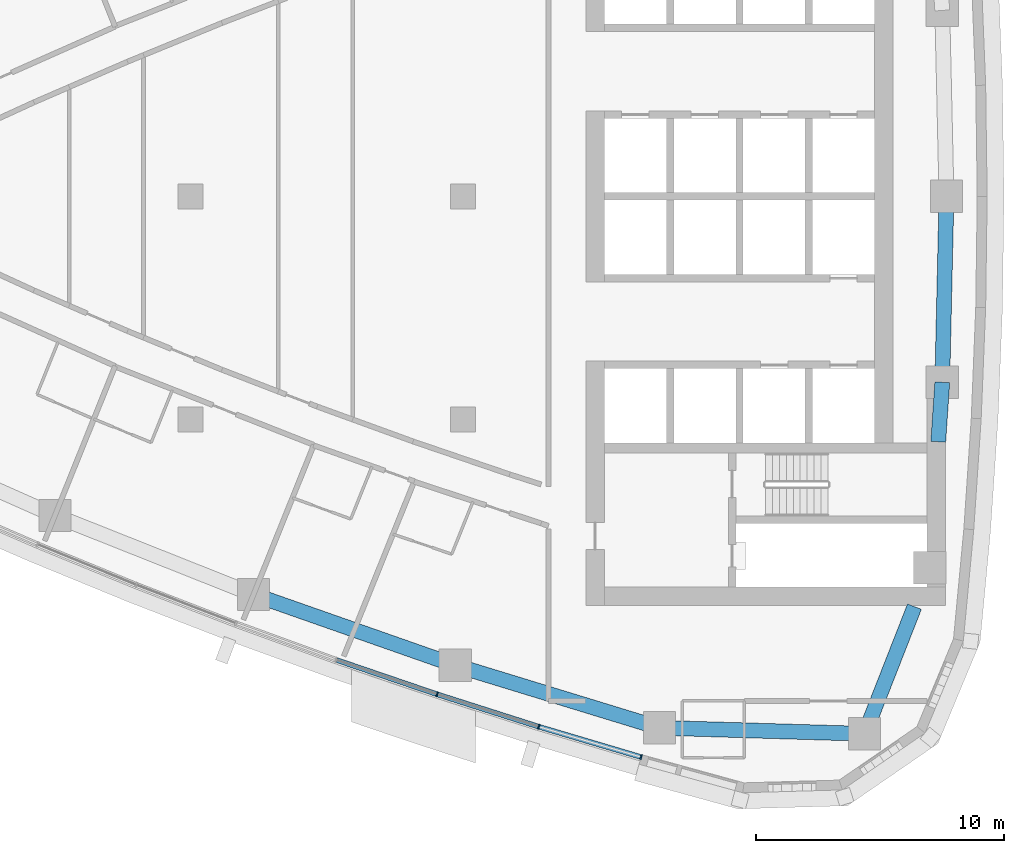
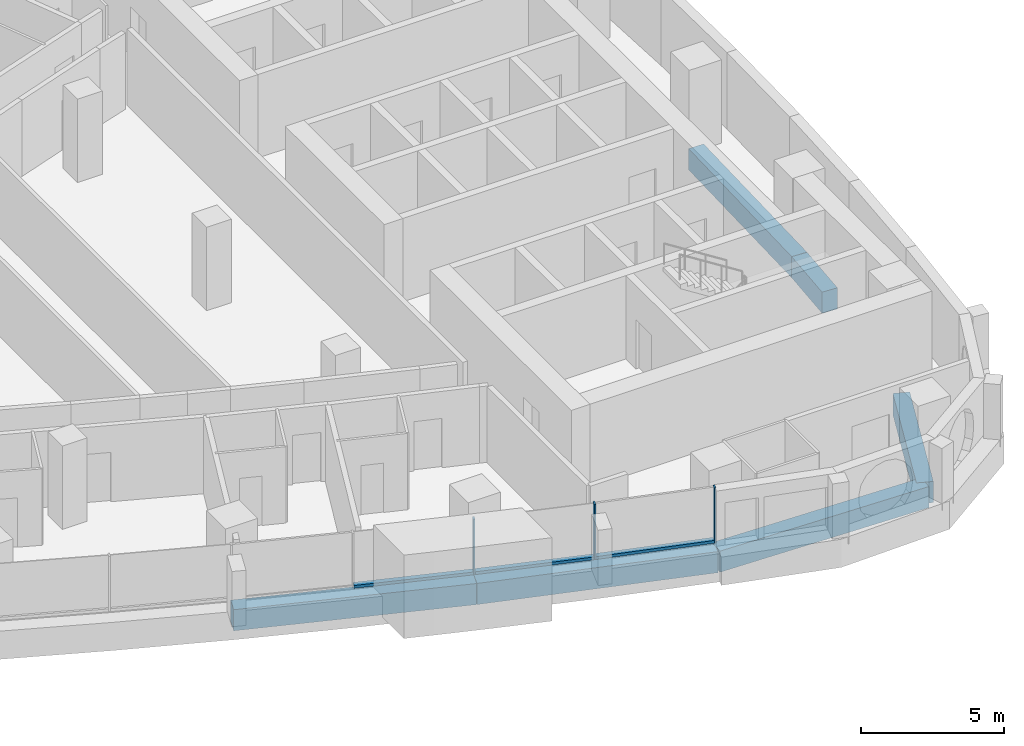
# One storey, part 4 of 17: 6 beams, 6 members, 2 elements without a shape of their own.
"""IFC4 building model written with IfcOpenShell, lengths in metres."""

from ifc_helpers import new_model, si_unit, direction, frame, origin, origin_2d, place, context, subcontext, project, spatial, rectangle, extrude, material, layer, layer_set, material_profile, profile_set, type_object, element, aggregate, save


model = new_model("IFC4")

# Units and contexts
model_context = context("Model", 3, precision=1e-05, world=origin(), true_north=direction((0.0, 1.0)))
body_context = subcontext(model_context, "Body", "Model", "MODEL_VIEW")
ifc_project = project(units=[si_unit("LENGTHUNIT", "METRE"), si_unit("AREAUNIT", "SQUARE_METRE"), si_unit("VOLUMEUNIT", "CUBIC_METRE"), si_unit("PLANEANGLEUNIT", "RADIAN"), si_unit("MASSUNIT", "GRAM", prefix="KILO")], contexts=[model_context])

# Site, building, storey
site_placement = place(None, origin())
site = spatial("IfcSite", under=ifc_project, at=site_placement, CompositionType="ELEMENT")
building_placement = place(site_placement, origin())
building = spatial("IfcBuilding", under=site, at=building_placement, Name="Ostrand Prow Hotel Tower", CompositionType="ELEMENT")
storey_placement = place(building_placement, frame((0.0, 0.0, 175.5)))
storey = spatial("IfcBuildingStorey", under=building, at=storey_placement, Name="L43", CompositionType="ELEMENT", Elevation=175.5)

# Beams
ifc_material_1 = material(Name="Concrete C60/75", Category="concrete")
ifc_material_profile_1 = material_profile(ifc_material_1, rectangle(XDim=0.60009765625, YDim=0.89990234375, at=origin_2d()), Name="RC 600x900")
ifc_profile_set_1 = profile_set([ifc_material_profile_1], Name="Concrete C60/75")
beam_type = type_object("IfcBeamType", Name="Edge beam 600x900 C60/75", PredefinedType="SPANDREL", material=ifc_profile_set_1)
for number, where, z_axis, x_axis, name in (
    (1, (36.547119140625, -16.060791015625, -0.75), (0.943593618681, -0.33110584831, 0.0), (0.33110584831, 0.943593618681, 0.0), "Edge beam S4-S5"),
    (2, (44.6826171875, -18.91552734375, -0.75), (0.956245556413, -0.292565267659, 0.0), (0.292565267659, 0.956245556413, 0.0), "Edge beam S5-S6"),
):
    element("IfcBeam", number, at=place(storey_placement, frame(where, z_axis=z_axis, x_axis=x_axis)), inside=storey, type_object=beam_type, Name=name, PredefinedType="SPANDREL", context=body_context, shape_type="SweptSolid", body=[
        extrude(rectangle(XDim=0.60009765625, YDim=0.89990234375, at=origin_2d()), origin(), (0.0, 0.0, 1.0), 8.621826171875),
    ])
beam_1_placement = place(storey_placement, frame((52.92724609375, -21.43798828125, -0.75), z_axis=(0.999575901438, -0.029120735993, 0.0), x_axis=(0.029120735993, 0.999575901438, 0.0)))
element("IfcBeam", 3, at=beam_1_placement, inside=storey, type_object=beam_type, Name="Edge beam S6-SE", PredefinedType="SPANDREL", context=body_context, shape_type="SweptSolid", body=[
    extrude(rectangle(XDim=0.60009765625, YDim=0.89990234375, at=origin_2d()), origin(), (0.0, 0.0, 1.0), 8.274658203125),
])
beam_2_placement = place(storey_placement, frame((61.198486328125, -21.678955078125, -0.75), z_axis=(0.364802049817, 0.931085100541, 0.0), x_axis=(-0.931085100541, 0.364802049817, 0.0)))
element("IfcBeam", 4, at=beam_2_placement, inside=storey, type_object=beam_type, Name="Edge beam SE-B1", PredefinedType="SPANDREL", context=body_context, shape_type="SweptSolid", body=[
    extrude(rectangle(XDim=0.60009765625, YDim=0.89990234375, at=origin_2d()), origin(), (0.0, 0.0, 1.0), 5.508544921875),
])
beam_3_placement = place(storey_placement, frame((64.167236328125, -9.89990234375, -0.75), z_axis=(0.067778284608, 0.997700408006, 0.0), x_axis=(-0.997700408006, 0.067778284608, 0.0)))
element("IfcBeam", 5, at=beam_3_placement, inside=storey, type_object=beam_type, Name="Edge beam B1-B2", PredefinedType="SPANDREL", context=body_context, shape_type="SweptSolid", body=[
    extrude(rectangle(XDim=0.60009765625, YDim=0.89990234375, at=origin_2d()), origin(), (0.0, 0.0, 1.0), 2.40625),
])
beam_4_placement = place(storey_placement, frame((64.330322265625, -7.499267578125, -0.75), z_axis=(0.022620118241, 0.999744132391, 0.0), x_axis=(-0.999744132391, 0.022620118241, 0.0)))
element("IfcBeam", 6, at=beam_4_placement, inside=storey, type_object=beam_type, Name="Edge beam B2-B3", PredefinedType="SPANDREL", context=body_context, shape_type="SweptSolid", body=[
    extrude(rectangle(XDim=0.60009765625, YDim=0.89990234375, at=origin_2d()), origin(), (0.0, 0.0, 1.0), 7.501220703125),
])

# Curtain wall, member
ifc_material_2 = material(Name="Insulated glass in bronze anodised frame", Category="glass")
ifc_layer = layer(ifc_material_2, 0.199951171875)
ifc_layer_set = layer_set([ifc_layer], Name="Insulated glass in bronze anodised frame")
curtain_wall_type = type_object("IfcCurtainWallType", Name="Strip curtain wall, fritted glass over bronze spandrel", PredefinedType="NOTDEFINED", material=ifc_layer_set)
curtain_wall_1_placement = place(storey_placement, origin())
curtain_wall_1 = element("IfcCurtainWall", 7, at=curtain_wall_1_placement, inside=storey, type_object=curtain_wall_type, Name="CW1 run CWS4", PredefinedType="NOTDEFINED")
ifc_material_3 = material(Name="Bronze anodised aluminium", Category="aluminium")
ifc_material_profile_2 = material_profile(ifc_material_3, rectangle(XDim=0.199951171875, YDim=0.06005859375, at=origin_2d()), Name="Mullion 60x200 bronze anodised aluminium")
ifc_profile_set_2 = profile_set([ifc_material_profile_2], Name="Bronze anodised aluminium")
member_type_1 = type_object("IfcMemberType", Name="Mullion 60x200 bronze anodised aluminium", PredefinedType="MULLION", material=ifc_profile_set_2)
member_1_placement = place(storey_placement, frame((43.95361328125, -20.086669921875, 0.89990234375), z_axis=(0.0, 0.0, 1.0), x_axis=(0.322908332404, 0.946430245113, 0.0)))
member_1 = element("IfcMember", 8, at=member_1_placement, type_object=member_type_1, Name="CW1 mullion 3", PredefinedType="MULLION", context=body_context, shape_type="SweptSolid", body=[
    extrude(rectangle(XDim=0.199951171875, YDim=0.06005859375, at=origin_2d()), origin(), (0.0, 0.0, 1.0), 2.35009765625),
])

# Curtain wall, members
curtain_wall_2_placement = place(storey_placement, origin())
curtain_wall_2 = element("IfcCurtainWall", 9, at=curtain_wall_2_placement, inside=storey, type_object=curtain_wall_type, Name="CW1 run CWS5", PredefinedType="NOTDEFINED")
member_2_placement = place(storey_placement, frame((48.055419921875, -21.39453125, 0.89990234375), z_axis=(0.0, 0.0, 1.0), x_axis=(0.284544113619, 0.958662947758, 0.0)))
member_2 = element("IfcMember", 10, at=member_2_placement, type_object=member_type_1, Name="CW1 mullion 2", PredefinedType="MULLION", context=body_context, shape_type="SweptSolid", body=[
    extrude(rectangle(XDim=0.199951171875, YDim=0.06005859375, at=origin_2d()), origin(), (0.0, 0.0, 1.0), 2.35009765625),
])
member_3_placement = place(storey_placement, frame((52.182373046875, -22.619384765625, 0.89990234375), z_axis=(0.0, 0.0, 1.0), x_axis=(0.284544113619, 0.958662947758, 0.0)))
member_3 = element("IfcMember", 11, at=member_3_placement, type_object=member_type_1, Name="CW1 mullion 3", PredefinedType="MULLION", context=body_context, shape_type="SweptSolid", body=[
    extrude(rectangle(XDim=0.199951171875, YDim=0.06005859375, at=origin_2d()), origin(), (0.0, 0.0, 1.0), 2.35009765625),
])

# Member
ifc_material_4 = material(Name="Bronze anodised aluminium", Category="aluminium")
ifc_material_profile_3 = material_profile(ifc_material_4, rectangle(XDim=0.199951171875, YDim=0.1201171875, at=origin_2d()), Name="Transom 120x200 bronze anodised aluminium")
ifc_profile_set_3 = profile_set([ifc_material_profile_3], Name="Bronze anodised aluminium")
member_type_2 = type_object("IfcMemberType", Name="Transom 120x200 bronze anodised aluminium", PredefinedType="USERDEFINED", material=ifc_profile_set_3)
member_4_placement = place(storey_placement, frame((39.90771484375, -18.706298828125, 0.9599609375), z_axis=(0.946422327772, -0.322931536852, 0.0), x_axis=(0.322931536852, 0.946422327772, 0.0)))
member_4 = element("IfcMember", 12, at=member_4_placement, type_object=member_type_2, Name="CW1 transom 2.1", ObjectType="TRANSOM", PredefinedType="USERDEFINED", context=body_context, shape_type="SweptSolid", body=[
    extrude(rectangle(XDim=0.199951171875, YDim=0.1201171875, at=origin_2d()), origin(), (0.0, 0.0, 1.0), 4.2451171875),
])

aggregate(curtain_wall_1, [member_1, member_4])

member_5_placement = place(storey_placement, frame((43.982421875, -20.095947265625, 0.9599609375), z_axis=(0.952737512605, -0.303794720289, 0.0), x_axis=(0.303794720289, 0.952737512605, 0.0)))
member_5 = element("IfcMember", 13, at=member_5_placement, type_object=member_type_2, Name="CW1 transom 1.1", ObjectType="TRANSOM", PredefinedType="USERDEFINED", context=body_context, shape_type="SweptSolid", body=[
    extrude(rectangle(XDim=0.199951171875, YDim=0.1201171875, at=origin_2d()), origin(), (0.0, 0.0, 1.0), 4.244873046875),
])

member_6_placement = place(storey_placement, frame((48.083984375, -21.403076171875, 0.9599609375), z_axis=(0.958661084062, -0.284550392558, 0.0), x_axis=(0.284550392558, 0.958661084062, 0.0)))
member_6 = element("IfcMember", 14, at=member_6_placement, type_object=member_type_2, Name="CW1 transom 2.1", ObjectType="TRANSOM", PredefinedType="USERDEFINED", context=body_context, shape_type="SweptSolid", body=[
    extrude(rectangle(XDim=0.199951171875, YDim=0.1201171875, at=origin_2d()), origin(), (0.0, 0.0, 1.0), 4.245361328125),
])

aggregate(curtain_wall_2, [member_2, member_3, member_5, member_6])

save(model, "model.ifc")
